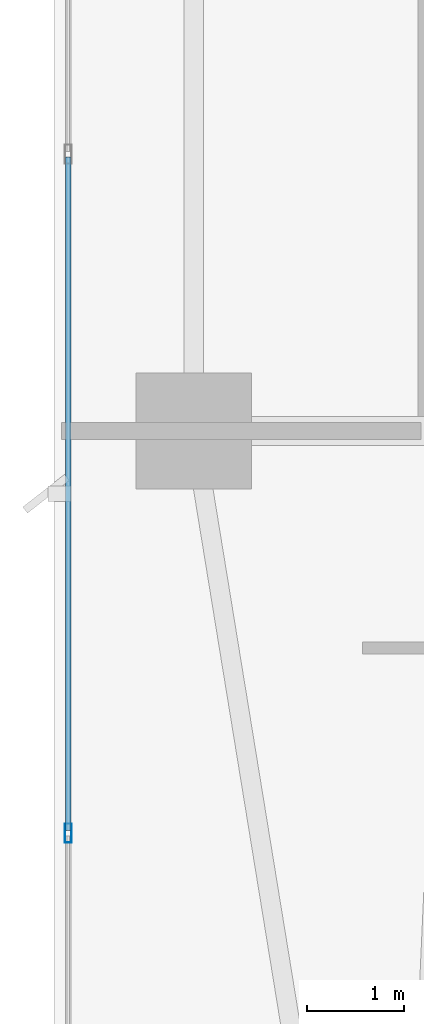
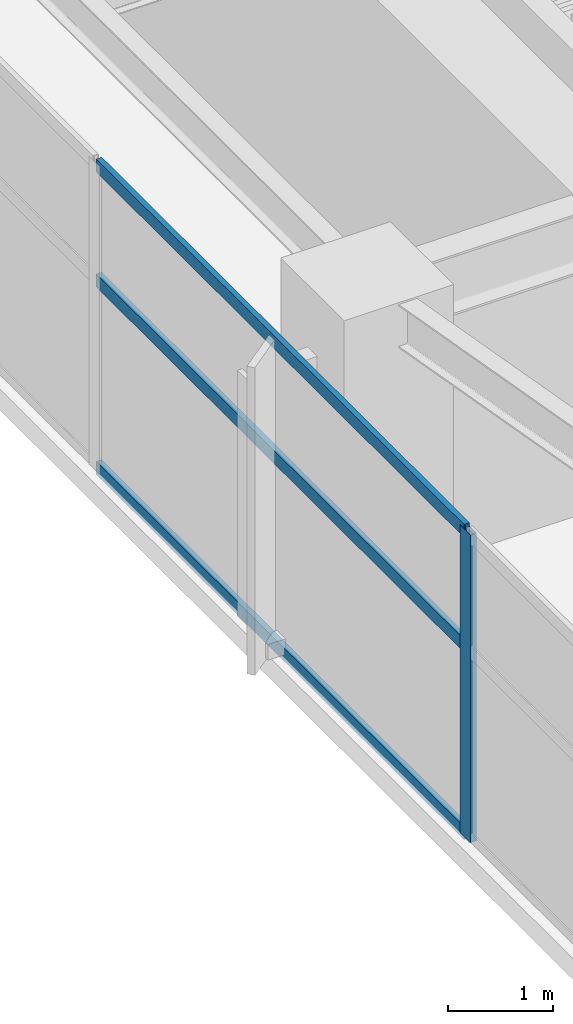
# One storey, part 4 of 28: 4 members, 1 element without a shape of its own.
"""IFC4 building model written with IfcOpenShell, lengths in metres."""

from ifc_helpers import new_model, si_unit, direction, frame, origin, origin_2d, place, context, subcontext, project, spatial, hollow_rectangle, extrude, material, layer, layer_set, material_profile, profile_set, type_object, element, aggregate, save


model = new_model("IFC4")

# Units and contexts
model_context = context("Model", 3, precision=1e-05, world=origin(), true_north=direction((0.0, 1.0)))
body_context = subcontext(model_context, "Body", "Model", "MODEL_VIEW")
ifc_project = project(units=[si_unit("LENGTHUNIT", "METRE"), si_unit("AREAUNIT", "SQUARE_METRE"), si_unit("VOLUMEUNIT", "CUBIC_METRE"), si_unit("PLANEANGLEUNIT", "RADIAN"), si_unit("MASSUNIT", "GRAM", prefix="KILO")], contexts=[model_context])

# Site, building, storey
site_placement = place(None, origin())
site = spatial("IfcSite", under=ifc_project, at=site_placement, CompositionType="ELEMENT")
building_placement = place(site_placement, origin())
building = spatial("IfcBuilding", under=site, at=building_placement, Name="Calvorn Quay Hotel", CompositionType="ELEMENT")
storey_placement = place(building_placement, frame((0.0, 0.0, 127.800048828125)))
storey = spatial("IfcBuildingStorey", under=building, at=storey_placement, Name="L31", CompositionType="ELEMENT", Elevation=127.800048828125)

# Curtain wall, members
ifc_material_1 = material(Name="Pale Anodised Aluminium and Low-E Glass", Category="aluminium")
ifc_layer = layer(ifc_material_1, 0.219970703125)
ifc_layer_set = layer_set([ifc_layer], Name="CW-SYS-Z2")
curtain_wall_type = type_object("IfcCurtainWallType", Name="CW-SYS-Z2", PredefinedType="NOTDEFINED", material=ifc_layer_set)
curtain_wall_placement = place(storey_placement, origin())
curtain_wall = element("IfcCurtainWall", 1, at=curtain_wall_placement, inside=storey, type_object=curtain_wall_type, Name="Tower West Curtain Wall (L31)", PredefinedType="NOTDEFINED")
ifc_material_2 = material(Name="Pale Anodised Aluminium 6063-T6", Category="aluminium")
ifc_material_profile_1 = material_profile(ifc_material_2, hollow_rectangle(XDim=0.070068359375, YDim=0.199951171875, WallThickness=0.00390625, at=origin_2d()), Name="ALU-M200x70x4")
ifc_profile_set_1 = profile_set([ifc_material_profile_1], Name="Pale Anodised Aluminium 6063-T6")
member_type_1 = type_object("IfcMemberType", Name="CW-SYS-Z2-MUL", PredefinedType="MULLION", material=ifc_profile_set_1)
member_1_placement = place(storey_placement, frame((0.14990234375, 12.63330078125, 0.0), z_axis=(0.0, 0.0, 1.0), x_axis=(-1.0, 0.0, 0.0)))
member_1 = element("IfcMember", 2, at=member_1_placement, type_object=member_type_1, Name="CW-L31-W mullion 2", PredefinedType="MULLION", context=body_context, shape_type="SweptSolid", body=[
    extrude(hollow_rectangle(XDim=0.070068359375, YDim=0.199951171875, WallThickness=0.00390625, at=origin_2d()), origin(), (0.0, 0.0, 1.0), 3.56005859375),
])
ifc_material_3 = material(Name="Pale Anodised Aluminium 6063-T6", Category="aluminium")
ifc_material_profile_2 = material_profile(ifc_material_3, hollow_rectangle(XDim=0.06005859375, YDim=0.14990234375, WallThickness=0.00341796875, at=origin_2d()), Name="ALU-T150x60x3.5")
ifc_profile_set_2 = profile_set([ifc_material_profile_2], Name="Pale Anodised Aluminium 6063-T6")
member_type_2 = type_object("IfcMemberType", Name="CW-SYS-Z2-TRN", PredefinedType="USERDEFINED", material=ifc_profile_set_2)
member_2_placement = place(storey_placement, frame((0.14990234375, 12.663330078125, 0.030029296875), z_axis=(0.0, 1.0, 0.0), x_axis=(-1.0, 0.0, 0.0)))
member_2 = element("IfcMember", 3, at=member_2_placement, type_object=member_type_2, Name="CW-L31-W transom 2.1", ObjectType="TRANSOM", PredefinedType="USERDEFINED", context=body_context, shape_type="SweptSolid", body=[
    extrude(hollow_rectangle(XDim=0.06005859375, YDim=0.14990234375, WallThickness=0.00341796875, at=origin_2d()), origin(), (0.0, 0.0, 1.0), 6.973388671875),
])
member_3_placement = place(storey_placement, frame((0.14990234375, 12.663330078125, 2.199951171875), z_axis=(0.0, 1.0, 0.0), x_axis=(-1.0, 0.0, 0.0)))
member_3 = element("IfcMember", 4, at=member_3_placement, type_object=member_type_2, Name="CW-L31-W transom 2.2", ObjectType="TRANSOM", PredefinedType="USERDEFINED", context=body_context, shape_type="SweptSolid", body=[
    extrude(hollow_rectangle(XDim=0.06005859375, YDim=0.14990234375, WallThickness=0.00341796875, at=origin_2d()), origin(), (0.0, 0.0, 1.0), 6.973388671875),
])
member_4_placement = place(storey_placement, frame((0.14990234375, 12.663330078125, 3.530029296875), z_axis=(0.0, 1.0, 0.0), x_axis=(-1.0, 0.0, 0.0)))
member_4 = element("IfcMember", 5, at=member_4_placement, type_object=member_type_2, Name="CW-L31-W transom 2.3", ObjectType="TRANSOM", PredefinedType="USERDEFINED", context=body_context, shape_type="SweptSolid", body=[
    extrude(hollow_rectangle(XDim=0.06005859375, YDim=0.14990234375, WallThickness=0.00341796875, at=origin_2d()), origin(), (0.0, 0.0, 1.0), 6.973388671875),
])
aggregate(curtain_wall, [member_1, member_2, member_3, member_4])

save(model, "model.ifc")
